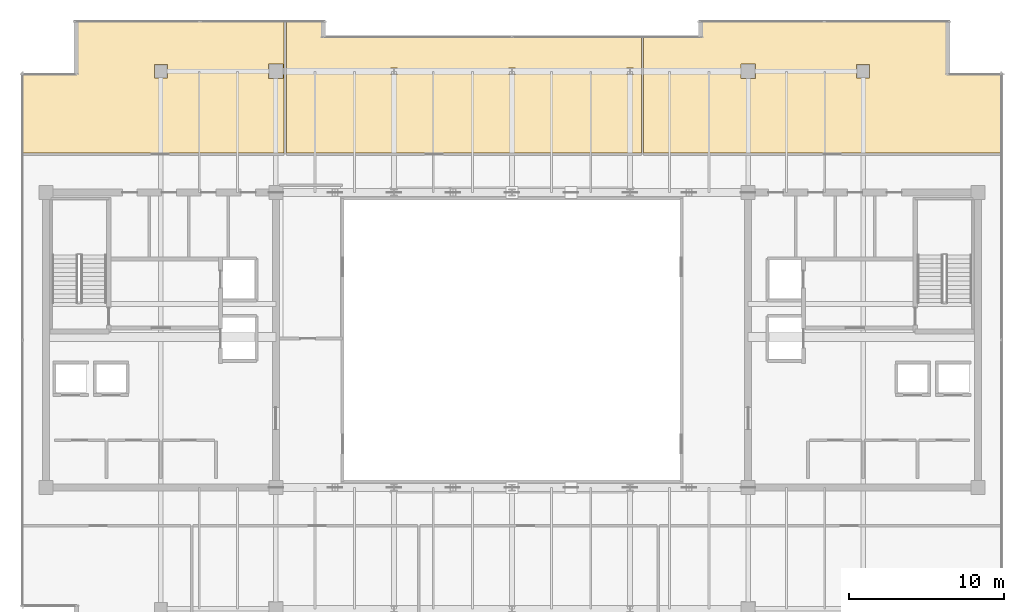
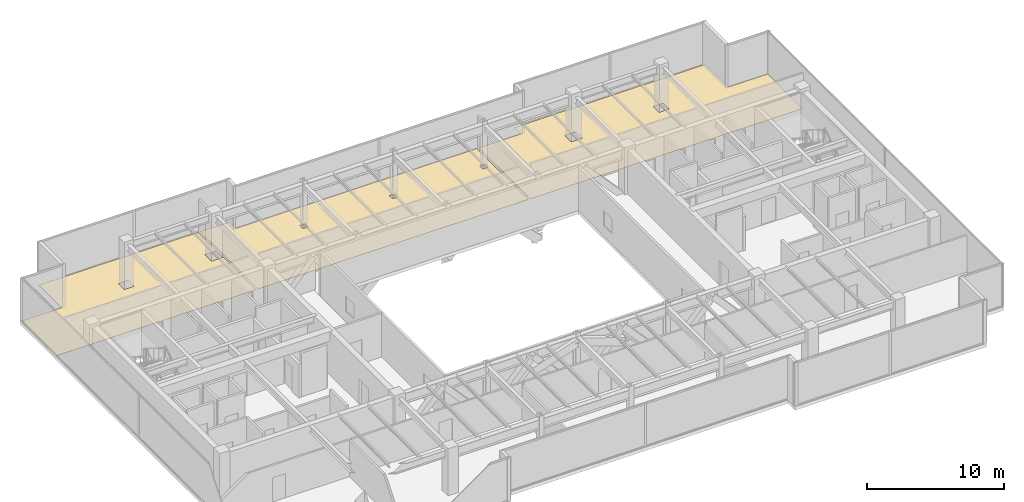
# One storey, part 32 of 32: 3 coverings.
"""IFC4 building model written with IfcOpenShell, lengths in metres."""

from ifc_helpers import new_model, si_unit, direction, frame, origin, place, context, subcontext, project, spatial, polyline, outline, extrude, material, layer, layer_set, type_object, element, save


model = new_model("IFC4")

# Units and contexts
model_context = context("Model", 3, precision=1e-05, world=origin(), true_north=direction((0.0, 1.0)))
body_context = subcontext(model_context, "Body", "Model", "MODEL_VIEW")
ifc_project = project(units=[si_unit("LENGTHUNIT", "METRE"), si_unit("AREAUNIT", "SQUARE_METRE"), si_unit("VOLUMEUNIT", "CUBIC_METRE"), si_unit("PLANEANGLEUNIT", "RADIAN"), si_unit("MASSUNIT", "GRAM", prefix="KILO")], contexts=[model_context])

# Site, building, storey
site_placement = place(None, origin())
site = spatial("IfcSite", under=ifc_project, at=site_placement, CompositionType="ELEMENT")
building_placement = place(site_placement, origin())
building = spatial("IfcBuilding", under=site, at=building_placement, Name="Haelvirn Gate Laboratories", CompositionType="ELEMENT")
storey_placement = place(building_placement, frame((0.0, 0.0, 314.39990234375)))
storey = spatial("IfcBuildingStorey", under=building, at=storey_placement, Name="L75", CompositionType="ELEMENT", Elevation=314.39990234375)

# Coverings
ifc_material = material(Name="Seamless chemical-resistant epoxy laboratory flooring")
ifc_layer = layer(ifc_material, 0.01806640625, Name="COV-FLR-RESIN")
ifc_layer_set = layer_set([ifc_layer], Name="Seamless chemical-resistant epoxy laboratory flooring")
covering_type = type_object("IfcCoveringType", Name="COV-FLR-RESIN", PredefinedType="FLOORING", material=ifc_layer_set)
covering_1_placement = place(storey_placement, origin())
element("IfcCovering", 1, at=covering_1_placement, inside=storey, type_object=covering_type, Name="L75 Seamless Laboratory Flooring FLR-SP-L75-N-01", PredefinedType="FLOORING", context=body_context, shape_type="SweptSolid", body=[
    extrude(outline(polyline([(5.909912109375, 41.4599609375), (9.199951171875, 41.4599609375), (9.203857421875, 41.460205078125), (9.207763671875, 41.460693359375), (9.211669921875, 41.461669921875), (9.21533203125, 41.462890625), (9.218994140625, 41.464599609375), (9.22216796875, 41.466796875), (9.225341796875, 41.468994140625), (9.228271484375, 41.4716796875), (9.23095703125, 41.474609375), (9.2333984375, 41.477783203125), (9.2353515625, 41.481201171875), (9.237060546875, 41.484619140625), (9.23828125, 41.48828125), (9.2392578125, 41.4921875), (9.23974609375, 41.49609375), (9.239990234375, 41.5), (9.239990234375, 44.7900390625), (22.719970703125, 44.7900390625), (22.719970703125, 36.330078125), (5.909912109375, 36.330078125), (5.909912109375, 41.4599609375)]), holes=[polyline([(14.3798828125, 41.179931640625), (15.219970703125, 41.179931640625), (15.219970703125, 42.02001953125), (14.3798828125, 42.02001953125), (14.3798828125, 41.179931640625)]), polyline([(21.72998046875, 42.070068359375), (21.72998046875, 41.1298828125), (22.669921875, 41.1298828125), (22.669921875, 42.070068359375), (21.72998046875, 42.070068359375)])]), origin(), (0.0, 0.0, 1.0), 0.01806640625),
])
covering_2_placement = place(storey_placement, origin())
element("IfcCovering", 2, at=covering_2_placement, inside=storey, type_object=covering_type, Name="L75 Seamless Laboratory Flooring FLR-SP-L75-N-02", PredefinedType="FLOORING", context=body_context, shape_type="SweptSolid", body=[
    extrude(outline(polyline([(25.360107421875, 43.89990234375), (25.360107421875, 43.89599609375), (25.36083984375, 43.89208984375), (25.36181640625, 43.888427734375), (25.363037109375, 43.884765625), (25.36474609375, 43.881103515625), (25.36669921875, 43.877685546875), (25.369140625, 43.87451171875), (25.37158203125, 43.87158203125), (25.37451171875, 43.869140625), (25.377685546875, 43.86669921875), (25.381103515625, 43.86474609375), (25.384765625, 43.863037109375), (25.388427734375, 43.86181640625), (25.39208984375, 43.86083984375), (25.39599609375, 43.860107421875), (25.39990234375, 43.860107421875), (45.719970703125, 43.860107421875), (45.719970703125, 36.330078125), (22.8798828125, 36.330078125), (22.8798828125, 44.7900390625), (25.360107421875, 44.7900390625), (25.360107421875, 43.89990234375)]), holes=[polyline([(30.02001953125, 41.3798828125), (30.02001953125, 41.820068359375), (29.580078125, 41.820068359375), (29.580078125, 41.3798828125), (30.02001953125, 41.3798828125)]), polyline([(37.179931640625, 41.3798828125), (37.6201171875, 41.3798828125), (37.6201171875, 41.820068359375), (37.179931640625, 41.820068359375), (37.179931640625, 41.3798828125)]), polyline([(44.780029296875, 41.820068359375), (44.780029296875, 41.3798828125), (45.219970703125, 41.3798828125), (45.219970703125, 41.820068359375), (44.780029296875, 41.820068359375)])]), origin(), (0.0, 0.0, 1.0), 0.01806640625),
])
covering_3_placement = place(storey_placement, origin())
element("IfcCovering", 3, at=covering_3_placement, inside=storey, type_object=covering_type, Name="L75 Seamless Laboratory Flooring FLR-SP-L75-N-03", PredefinedType="FLOORING", context=body_context, shape_type="SweptSolid", body=[
    extrude(outline(polyline([(49.39990234375, 43.860107421875), (49.40380859375, 43.860107421875), (49.40771484375, 43.86083984375), (49.41162109375, 43.86181640625), (49.415283203125, 43.863037109375), (49.4189453125, 43.86474609375), (49.422119140625, 43.86669921875), (49.42529296875, 43.869140625), (49.42822265625, 43.87158203125), (49.430908203125, 43.87451171875), (49.433349609375, 43.877685546875), (49.435302734375, 43.881103515625), (49.43701171875, 43.884765625), (49.438232421875, 43.888427734375), (49.439208984375, 43.89208984375), (49.439697265625, 43.89599609375), (49.43994140625, 43.89990234375), (49.43994140625, 44.7900390625), (65.56005859375, 44.7900390625), (65.56005859375, 41.5), (65.560302734375, 41.49609375), (65.560791015625, 41.4921875), (65.561767578125, 41.48828125), (65.56298828125, 41.484619140625), (65.564697265625, 41.481201171875), (65.566650390625, 41.477783203125), (65.569091796875, 41.474609375), (65.57177734375, 41.4716796875), (65.57470703125, 41.468994140625), (65.577880859375, 41.466796875), (65.5810546875, 41.464599609375), (65.584716796875, 41.462890625), (65.58837890625, 41.461669921875), (65.59228515625, 41.460693359375), (65.59619140625, 41.460205078125), (65.60009765625, 41.4599609375), (68.889892578125, 41.4599609375), (68.889892578125, 36.330078125), (45.8798828125, 36.330078125), (45.8798828125, 43.860107421875), (49.39990234375, 43.860107421875)]), holes=[polyline([(52.1298828125, 41.1298828125), (53.070068359375, 41.1298828125), (53.070068359375, 42.070068359375), (52.1298828125, 42.070068359375), (52.1298828125, 41.1298828125)]), polyline([(59.580078125, 42.02001953125), (59.580078125, 41.179931640625), (60.419921875, 41.179931640625), (60.419921875, 42.02001953125), (59.580078125, 42.02001953125)])]), origin(), (0.0, 0.0, 1.0), 0.01806640625),
])

save(model, "model.ifc")
